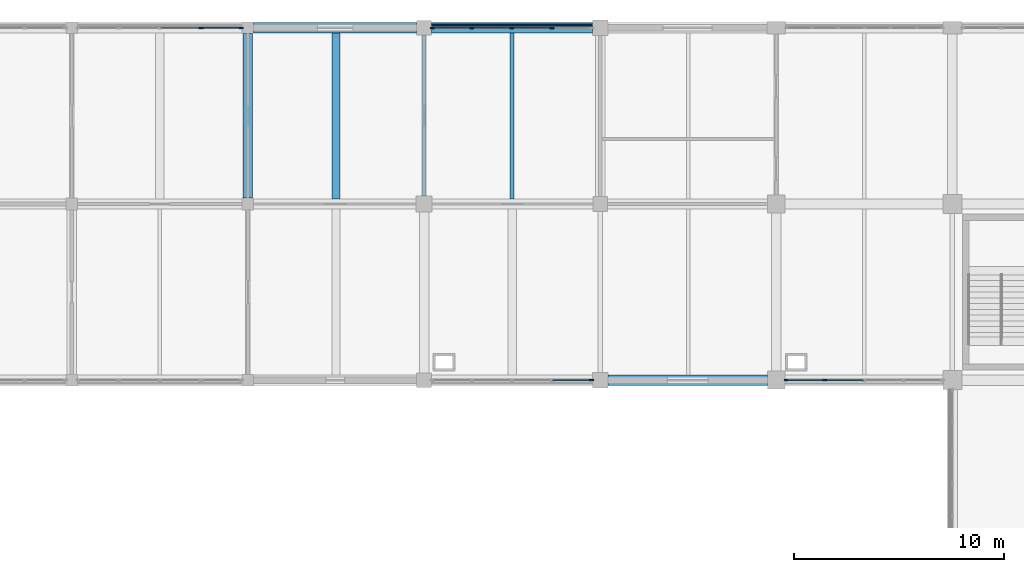
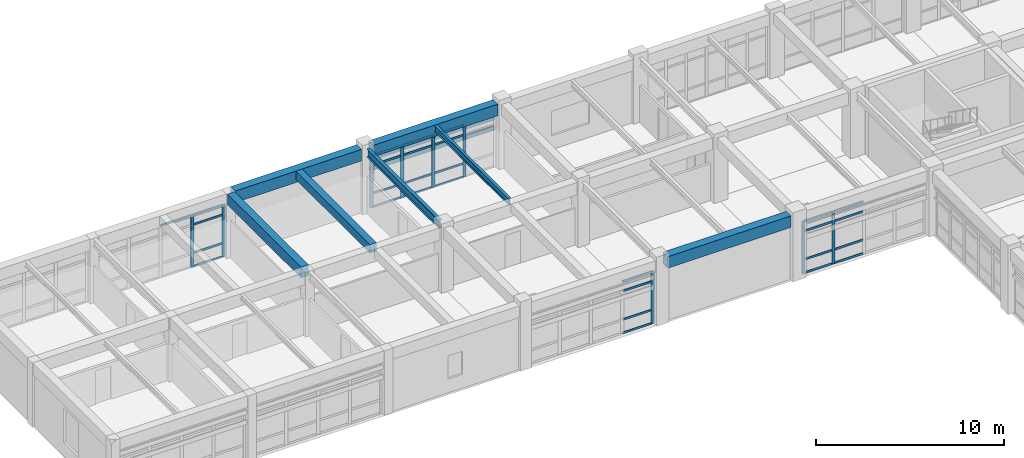
# One storey, part 28 of 99: 40 members, 7 beams, 4 elements without a shape of their own.
"""IFC4 building model written with IfcOpenShell, lengths in metres."""

from ifc_helpers import new_model, si_unit, direction, frame, origin, origin_2d, place, context, subcontext, project, spatial, rectangle, i_section, extrude, material, layer, layer_set, material_profile, profile_set, type_object, element, aggregate, save


model = new_model("IFC4")

# Units and contexts
model_context = context("Model", 3, precision=1e-05, world=origin(), true_north=direction((0.0, 1.0)))
body_context = subcontext(model_context, "Body", "Model", "MODEL_VIEW")
ifc_project = project(units=[si_unit("LENGTHUNIT", "METRE"), si_unit("AREAUNIT", "SQUARE_METRE"), si_unit("VOLUMEUNIT", "CUBIC_METRE"), si_unit("PLANEANGLEUNIT", "RADIAN"), si_unit("MASSUNIT", "GRAM", prefix="KILO")], contexts=[model_context])

# Site, building, storey
site_placement = place(None, origin())
site = spatial("IfcSite", under=ifc_project, at=site_placement, CompositionType="ELEMENT")
building_placement = place(site_placement, origin())
building = spatial("IfcBuilding", under=site, at=building_placement, Name="Porcellanite Civic Hall", CompositionType="ELEMENT")
storey_placement = place(building_placement, frame((0.0, 0.0, 5.760009765625)))
storey = spatial("IfcBuildingStorey", under=building, at=storey_placement, Name="L01", CompositionType="ELEMENT", Elevation=5.760009765625)

# Beams
ifc_material_1 = material(Name="Concrete N50 (50 MPa)", Category="concrete")
ifc_material_profile_1 = material_profile(ifc_material_1, rectangle(XDim=0.39990234375, YDim=0.550048828125, at=origin_2d()), Name="RC-400x550")
ifc_profile_set_1 = profile_set([ifc_material_profile_1], Name="Concrete N50 (50 MPa)")
beam_type_1 = type_object("IfcBeamType", Name="BM-RC550", PredefinedType="JOIST", material=ifc_profile_set_1)
beam_1_placement = place(storey_placement, frame((21.0, 109.449462890625, 3.925048828125), z_axis=(0.0, 1.0, 0.0), x_axis=(-1.0, 0.0, 0.0)))
element("IfcBeam", 1, at=beam_1_placement, inside=storey, type_object=beam_type_1, Name="Secondary joist L01 3-14", PredefinedType="JOIST", context=body_context, shape_type="SweptSolid", body=[
    extrude(rectangle(XDim=0.39990234375, YDim=0.550048828125, at=origin_2d()), origin(), (0.0, 0.0, 1.0), 7.901123046875),
])
ifc_material_2 = material(Name="Concrete N50 (50 MPa)", Category="concrete")
ifc_material_profile_2 = material_profile(ifc_material_2, rectangle(XDim=0.449951171875, YDim=0.699951171875, at=origin_2d()), Name="RC-450x700")
ifc_profile_set_2 = profile_set([ifc_material_profile_2], Name="Concrete N50 (50 MPa)")
beam_type_2 = type_object("IfcBeamType", Name="BM-RC700", PredefinedType="BEAM", material=ifc_profile_set_2)
beam_2_placement = place(storey_placement, frame((16.800048828125, 109.474609375, 3.85009765625), z_axis=(0.0, 1.0, 0.0), x_axis=(-1.0, 0.0, 0.0)))
element("IfcBeam", 2, at=beam_2_placement, inside=storey, type_object=beam_type_2, Name="Beam Y L01 3-14", PredefinedType="BEAM", context=body_context, shape_type="SweptSolid", body=[
    extrude(rectangle(XDim=0.449951171875, YDim=0.699951171875, at=origin_2d()), origin(), (0.0, 0.0, 1.0), 7.850830078125),
])
ifc_material_3 = material(Name="Concrete N50 (50 MPa)", Category="concrete")
ifc_material_profile_3 = material_profile(ifc_material_3, rectangle(XDim=0.5, YDim=0.75, at=origin_2d()), Name="RC-500x750")
ifc_profile_set_3 = profile_set([ifc_material_profile_3], Name="Concrete N50 (50 MPa)")
beam_type_3 = type_object("IfcBeamType", Name="BM-RC750", PredefinedType="SPANDREL", material=ifc_profile_set_3)
beam_3_placement = place(storey_placement, frame((17.074462890625, 117.60009765625, 3.824951171875), z_axis=(1.0, 0.0, 0.0), x_axis=(0.0, 1.0, 0.0)))
element("IfcBeam", 3, at=beam_3_placement, inside=storey, type_object=beam_type_3, Name="Beam X L01 3-15", PredefinedType="SPANDREL", context=body_context, shape_type="SweptSolid", body=[
    extrude(rectangle(XDim=0.5, YDim=0.75, at=origin_2d()), origin(), (0.0, 0.0, 1.0), 7.776123046875),
])
beam_4_placement = place(storey_placement, frame((25.549560546875, 117.60009765625, 3.824951171875), z_axis=(1.0, 0.0, 0.0), x_axis=(0.0, 1.0, 0.0)))
element("IfcBeam", 4, at=beam_4_placement, inside=storey, type_object=beam_type_3, Name="Beam X L01 4-15", PredefinedType="SPANDREL", context=body_context, shape_type="SweptSolid", body=[
    extrude(rectangle(XDim=0.5, YDim=0.75, at=origin_2d()), origin(), (0.0, 0.0, 1.0), 7.676025390625),
])
beam_5_placement = place(storey_placement, frame((33.974609375, 100.800048828125, 3.824951171875), z_axis=(1.0, 0.0, 0.0), x_axis=(0.0, 1.0, 0.0)))
element("IfcBeam", 5, at=beam_5_placement, inside=storey, type_object=beam_type_3, Name="Beam X L01 5-13", PredefinedType="SPANDREL", context=body_context, shape_type="SweptSolid", body=[
    extrude(rectangle(XDim=0.5, YDim=0.75, at=origin_2d()), origin(), (0.0, 0.0, 1.0), 7.600830078125),
])

# Curtain wall, members
ifc_material_4 = material(Name="Anodised aluminium and solar laminated glass", Category="aluminium")
ifc_layer_1 = layer(ifc_material_4, 0.179931640625)
ifc_layer_set_1 = layer_set([ifc_layer_1], Name="Anodised aluminium and solar laminated glass")
curtain_wall_type_1 = type_object("IfcCurtainWallType", Name="CW-SYS05", PredefinedType="NOTDEFINED", material=ifc_layer_set_1)
curtain_wall_1_placement = place(storey_placement, origin())
curtain_wall_1 = element("IfcCurtainWall", 6, at=curtain_wall_1_placement, inside=storey, type_object=curtain_wall_type_1, Name="Curtain wall CW-068", PredefinedType="NOTDEFINED")
ifc_material_5 = material(Name="Anodised aluminium 6063-T6", Category="aluminium")
ifc_material_profile_4 = material_profile(ifc_material_5, rectangle(XDim=0.070068359375, YDim=0.199951171875, at=origin_2d()), Name="AL-70x200")
ifc_profile_set_4 = profile_set([ifc_material_profile_4], Name="Anodised aluminium 6063-T6")
member_type_1 = type_object("IfcMemberType", Name="CWM-05", PredefinedType="MULLION", material=ifc_profile_set_4)
member_1_placement = place(storey_placement, frame((14.56201171875, 117.60009765625, 0.0), z_axis=(0.0, 0.0, 1.0), x_axis=(0.0, 1.0, 0.0)))
member_1 = element("IfcMember", 7, at=member_1_placement, type_object=member_type_1, Name="CW-068 mullion 4", PredefinedType="MULLION", context=body_context, shape_type="SweptSolid", body=[
    extrude(rectangle(XDim=0.070068359375, YDim=0.199951171875, at=origin_2d()), origin(), (0.0, 0.0, 1.0), 3.39990234375),
])
member_2_placement = place(storey_placement, frame((16.489013671875, 117.60009765625, 0.0), z_axis=(0.0, 0.0, 1.0), x_axis=(0.0, 1.0, 0.0)))
member_2 = element("IfcMember", 8, at=member_2_placement, type_object=member_type_1, Name="CW-068 mullion 5", PredefinedType="MULLION", context=body_context, shape_type="SweptSolid", body=[
    extrude(rectangle(XDim=0.070068359375, YDim=0.199951171875, at=origin_2d()), origin(), (0.0, 0.0, 1.0), 3.39990234375),
])

# Curtain wall, member
curtain_wall_2_placement = place(storey_placement, origin())
curtain_wall_2 = element("IfcCurtainWall", 9, at=curtain_wall_2_placement, inside=storey, type_object=curtain_wall_type_1, Name="Curtain wall CW-072", PredefinedType="NOTDEFINED")
member_3_placement = place(storey_placement, frame((33.18896484375, 100.800048828125, 0.0), z_axis=(0.0, 0.0, 1.0), x_axis=(0.0, -1.0, 0.0)))
member_3 = element("IfcMember", 10, at=member_3_placement, type_object=member_type_1, Name="CW-072 mullion 1", PredefinedType="MULLION", context=body_context, shape_type="SweptSolid", body=[
    extrude(rectangle(XDim=0.070068359375, YDim=0.199951171875, at=origin_2d()), origin(), (0.0, 0.0, 1.0), 3.39990234375),
])

# Curtain wall, members
curtain_wall_3_placement = place(storey_placement, origin())
curtain_wall_3 = element("IfcCurtainWall", 11, at=curtain_wall_3_placement, inside=storey, type_object=curtain_wall_type_1, Name="Curtain wall CW-073", PredefinedType="NOTDEFINED")
member_4_placement = place(storey_placement, frame((25.5859375, 117.60009765625, 0.0), z_axis=(0.0, 0.0, 1.0), x_axis=(0.0, 1.0, 0.0)))
member_4 = element("IfcMember", 12, at=member_4_placement, type_object=member_type_1, Name="CW-073 mullion 1", PredefinedType="MULLION", context=body_context, shape_type="SweptSolid", body=[
    extrude(rectangle(XDim=0.070068359375, YDim=0.199951171875, at=origin_2d()), origin(), (0.0, 0.0, 1.0), 3.39990234375),
])
member_5_placement = place(storey_placement, frame((27.46923828125, 117.60009765625, 0.0), z_axis=(0.0, 0.0, 1.0), x_axis=(0.0, 1.0, 0.0)))
member_5 = element("IfcMember", 13, at=member_5_placement, type_object=member_type_1, Name="CW-073 mullion 2", PredefinedType="MULLION", context=body_context, shape_type="SweptSolid", body=[
    extrude(rectangle(XDim=0.070068359375, YDim=0.199951171875, at=origin_2d()), origin(), (0.0, 0.0, 1.0), 3.39990234375),
])
member_6_placement = place(storey_placement, frame((29.387451171875, 117.60009765625, 0.0), z_axis=(0.0, 0.0, 1.0), x_axis=(0.0, 1.0, 0.0)))
member_6 = element("IfcMember", 14, at=member_6_placement, type_object=member_type_1, Name="CW-073 mullion 3", PredefinedType="MULLION", context=body_context, shape_type="SweptSolid", body=[
    extrude(rectangle(XDim=0.070068359375, YDim=0.199951171875, at=origin_2d()), origin(), (0.0, 0.0, 1.0), 3.39990234375),
])
member_7_placement = place(storey_placement, frame((31.3056640625, 117.60009765625, 0.0), z_axis=(0.0, 0.0, 1.0), x_axis=(0.0, 1.0, 0.0)))
member_7 = element("IfcMember", 15, at=member_7_placement, type_object=member_type_1, Name="CW-073 mullion 4", PredefinedType="MULLION", context=body_context, shape_type="SweptSolid", body=[
    extrude(rectangle(XDim=0.070068359375, YDim=0.199951171875, at=origin_2d()), origin(), (0.0, 0.0, 1.0), 3.39990234375),
])

ifc_material_6 = material(Name="Anodised aluminium and solar laminated glass", Category="aluminium")
ifc_layer_2 = layer(ifc_material_6, 0.179931640625)
ifc_layer_set_2 = layer_set([ifc_layer_2], Name="Anodised aluminium and solar laminated glass")
curtain_wall_type_2 = type_object("IfcCurtainWallType", Name="CW-SYS06", PredefinedType="NOTDEFINED", material=ifc_layer_set_2)
curtain_wall_4_placement = place(storey_placement, origin())
curtain_wall_4 = element("IfcCurtainWall", 16, at=curtain_wall_4_placement, inside=storey, type_object=curtain_wall_type_2, Name="Curtain wall CW-074", PredefinedType="NOTDEFINED")
ifc_material_7 = material(Name="Anodised aluminium 6063-T6", Category="aluminium")
ifc_material_profile_5 = material_profile(ifc_material_7, rectangle(XDim=0.06494140625, YDim=0.179931640625, at=origin_2d()), Name="AL-65x180")
ifc_profile_set_5 = profile_set([ifc_material_profile_5], Name="Anodised aluminium 6063-T6")
member_type_2 = type_object("IfcMemberType", Name="CWM-06", PredefinedType="MULLION", material=ifc_profile_set_5)
member_8_placement = place(storey_placement, frame((44.306640625, 100.800048828125, 0.0), z_axis=(0.0, 0.0, 1.0), x_axis=(0.0, -1.0, 0.0)))
member_8 = element("IfcMember", 17, at=member_8_placement, type_object=member_type_2, Name="CW-074 mullion 4", PredefinedType="MULLION", context=body_context, shape_type="SweptSolid", body=[
    extrude(rectangle(XDim=0.06494140625, YDim=0.179931640625, at=origin_2d()), origin(), (0.0, 0.0, 1.0), 3.39990234375),
])
member_9_placement = place(storey_placement, frame((42.45849609375, 100.800048828125, 0.0), z_axis=(0.0, 0.0, 1.0), x_axis=(0.0, -1.0, 0.0)))
member_9 = element("IfcMember", 18, at=member_9_placement, type_object=member_type_2, Name="CW-074 mullion 5", PredefinedType="MULLION", context=body_context, shape_type="SweptSolid", body=[
    extrude(rectangle(XDim=0.06494140625, YDim=0.179931640625, at=origin_2d()), origin(), (0.0, 0.0, 1.0), 3.39990234375),
])

# Member
ifc_material_8 = material(Name="Anodised aluminium 6063-T6", Category="aluminium")
ifc_material_profile_6 = material_profile(ifc_material_8, rectangle(XDim=0.06005859375, YDim=0.1298828125, at=origin_2d()), Name="AL-60x130")
ifc_profile_set_6 = profile_set([ifc_material_profile_6], Name="Anodised aluminium 6063-T6")
member_type_3 = type_object("IfcMemberType", Name="CWT-03", PredefinedType="USERDEFINED", material=ifc_profile_set_6)
member_10_placement = place(storey_placement, frame((12.635009765625, 117.60009765625, 3.369873046875), z_axis=(1.0, 0.0, 0.0), x_axis=(0.0, 1.0, 0.0)))
member_10 = element("IfcMember", 19, at=member_10_placement, type_object=member_type_3, Name="CW-068 transom 3.4", ObjectType="TRANSOM", PredefinedType="USERDEFINED", context=body_context, shape_type="SweptSolid", body=[
    extrude(rectangle(XDim=0.06005859375, YDim=0.1298828125, at=origin_2d()), origin(), (0.0, 0.0, 1.0), 1.89208984375),
])

member_11_placement = place(storey_placement, frame((14.596923828125, 117.60009765625, 0.030029296875), z_axis=(1.0, 0.0, 0.0), x_axis=(0.0, 1.0, 0.0)))
member_11 = element("IfcMember", 20, at=member_11_placement, type_object=member_type_3, Name="CW-068 transom 4.1", ObjectType="TRANSOM", PredefinedType="USERDEFINED", context=body_context, shape_type="SweptSolid", body=[
    extrude(rectangle(XDim=0.06005859375, YDim=0.1298828125, at=origin_2d()), origin(), (0.0, 0.0, 1.0), 1.857177734375),
])

member_12_placement = place(storey_placement, frame((14.596923828125, 117.60009765625, 0.89990234375), z_axis=(1.0, 0.0, 0.0), x_axis=(0.0, 1.0, 0.0)))
member_12 = element("IfcMember", 21, at=member_12_placement, type_object=member_type_3, Name="CW-068 transom 4.2", ObjectType="TRANSOM", PredefinedType="USERDEFINED", context=body_context, shape_type="SweptSolid", body=[
    extrude(rectangle(XDim=0.06005859375, YDim=0.1298828125, at=origin_2d()), origin(), (0.0, 0.0, 1.0), 1.857177734375),
])

member_13_placement = place(storey_placement, frame((14.596923828125, 117.60009765625, 2.75), z_axis=(1.0, 0.0, 0.0), x_axis=(0.0, 1.0, 0.0)))
member_13 = element("IfcMember", 22, at=member_13_placement, type_object=member_type_3, Name="CW-068 transom 4.3", ObjectType="TRANSOM", PredefinedType="USERDEFINED", context=body_context, shape_type="SweptSolid", body=[
    extrude(rectangle(XDim=0.06005859375, YDim=0.1298828125, at=origin_2d()), origin(), (0.0, 0.0, 1.0), 1.857177734375),
])

member_14_placement = place(storey_placement, frame((14.596923828125, 117.60009765625, 3.369873046875), z_axis=(1.0, 0.0, 0.0), x_axis=(0.0, 1.0, 0.0)))
member_14 = element("IfcMember", 23, at=member_14_placement, type_object=member_type_3, Name="CW-068 transom 4.4", ObjectType="TRANSOM", PredefinedType="USERDEFINED", context=body_context, shape_type="SweptSolid", body=[
    extrude(rectangle(XDim=0.06005859375, YDim=0.1298828125, at=origin_2d()), origin(), (0.0, 0.0, 1.0), 1.857177734375),
])

aggregate(curtain_wall_1, [member_1, member_2, member_10, member_11, member_12, member_13, member_14])

member_15_placement = place(storey_placement, frame((33.154052734375, 100.800048828125, 0.030029296875), z_axis=(-1.0, 0.0, 0.0), x_axis=(0.0, -1.0, 0.0)))
member_15 = element("IfcMember", 24, at=member_15_placement, type_object=member_type_3, Name="CW-072 transom 1.1", ObjectType="TRANSOM", PredefinedType="USERDEFINED", context=body_context, shape_type="SweptSolid", body=[
    extrude(rectangle(XDim=0.06005859375, YDim=0.1298828125, at=origin_2d()), origin(), (0.0, 0.0, 1.0), 1.813232421875),
])

member_16_placement = place(storey_placement, frame((33.154052734375, 100.800048828125, 0.89990234375), z_axis=(-1.0, 0.0, 0.0), x_axis=(0.0, -1.0, 0.0)))
member_16 = element("IfcMember", 25, at=member_16_placement, type_object=member_type_3, Name="CW-072 transom 1.2", ObjectType="TRANSOM", PredefinedType="USERDEFINED", context=body_context, shape_type="SweptSolid", body=[
    extrude(rectangle(XDim=0.06005859375, YDim=0.1298828125, at=origin_2d()), origin(), (0.0, 0.0, 1.0), 1.813232421875),
])

member_17_placement = place(storey_placement, frame((33.154052734375, 100.800048828125, 2.75), z_axis=(-1.0, 0.0, 0.0), x_axis=(0.0, -1.0, 0.0)))
member_17 = element("IfcMember", 26, at=member_17_placement, type_object=member_type_3, Name="CW-072 transom 1.3", ObjectType="TRANSOM", PredefinedType="USERDEFINED", context=body_context, shape_type="SweptSolid", body=[
    extrude(rectangle(XDim=0.06005859375, YDim=0.1298828125, at=origin_2d()), origin(), (0.0, 0.0, 1.0), 1.813232421875),
])

member_18_placement = place(storey_placement, frame((33.154052734375, 100.800048828125, 3.369873046875), z_axis=(-1.0, 0.0, 0.0), x_axis=(0.0, -1.0, 0.0)))
member_18 = element("IfcMember", 27, at=member_18_placement, type_object=member_type_3, Name="CW-072 transom 1.4", ObjectType="TRANSOM", PredefinedType="USERDEFINED", context=body_context, shape_type="SweptSolid", body=[
    extrude(rectangle(XDim=0.06005859375, YDim=0.1298828125, at=origin_2d()), origin(), (0.0, 0.0, 1.0), 1.813232421875),
])

aggregate(curtain_wall_2, [member_3, member_15, member_16, member_17, member_18])

member_19_placement = place(storey_placement, frame((25.62109375, 117.60009765625, 0.030029296875), z_axis=(1.0, 0.0, 0.0), x_axis=(0.0, 1.0, 0.0)))
member_19 = element("IfcMember", 28, at=member_19_placement, type_object=member_type_3, Name="CW-073 transom 1.1", ObjectType="TRANSOM", PredefinedType="USERDEFINED", context=body_context, shape_type="SweptSolid", body=[
    extrude(rectangle(XDim=0.06005859375, YDim=0.1298828125, at=origin_2d()), origin(), (0.0, 0.0, 1.0), 1.813232421875),
])

member_20_placement = place(storey_placement, frame((25.62109375, 117.60009765625, 0.89990234375), z_axis=(1.0, 0.0, 0.0), x_axis=(0.0, 1.0, 0.0)))
member_20 = element("IfcMember", 29, at=member_20_placement, type_object=member_type_3, Name="CW-073 transom 1.2", ObjectType="TRANSOM", PredefinedType="USERDEFINED", context=body_context, shape_type="SweptSolid", body=[
    extrude(rectangle(XDim=0.06005859375, YDim=0.1298828125, at=origin_2d()), origin(), (0.0, 0.0, 1.0), 1.813232421875),
])

member_21_placement = place(storey_placement, frame((25.62109375, 117.60009765625, 2.75), z_axis=(1.0, 0.0, 0.0), x_axis=(0.0, 1.0, 0.0)))
member_21 = element("IfcMember", 30, at=member_21_placement, type_object=member_type_3, Name="CW-073 transom 1.3", ObjectType="TRANSOM", PredefinedType="USERDEFINED", context=body_context, shape_type="SweptSolid", body=[
    extrude(rectangle(XDim=0.06005859375, YDim=0.1298828125, at=origin_2d()), origin(), (0.0, 0.0, 1.0), 1.813232421875),
])

member_22_placement = place(storey_placement, frame((25.62109375, 117.60009765625, 3.369873046875), z_axis=(1.0, 0.0, 0.0), x_axis=(0.0, 1.0, 0.0)))
member_22 = element("IfcMember", 31, at=member_22_placement, type_object=member_type_3, Name="CW-073 transom 1.4", ObjectType="TRANSOM", PredefinedType="USERDEFINED", context=body_context, shape_type="SweptSolid", body=[
    extrude(rectangle(XDim=0.06005859375, YDim=0.1298828125, at=origin_2d()), origin(), (0.0, 0.0, 1.0), 1.813232421875),
])

member_23_placement = place(storey_placement, frame((27.504150390625, 117.60009765625, 0.030029296875), z_axis=(1.0, 0.0, 0.0), x_axis=(0.0, 1.0, 0.0)))
member_23 = element("IfcMember", 32, at=member_23_placement, type_object=member_type_3, Name="CW-073 transom 2.1", ObjectType="TRANSOM", PredefinedType="USERDEFINED", context=body_context, shape_type="SweptSolid", body=[
    extrude(rectangle(XDim=0.06005859375, YDim=0.1298828125, at=origin_2d()), origin(), (0.0, 0.0, 1.0), 1.848388671875),
])

member_24_placement = place(storey_placement, frame((27.504150390625, 117.60009765625, 0.89990234375), z_axis=(1.0, 0.0, 0.0), x_axis=(0.0, 1.0, 0.0)))
member_24 = element("IfcMember", 33, at=member_24_placement, type_object=member_type_3, Name="CW-073 transom 2.2", ObjectType="TRANSOM", PredefinedType="USERDEFINED", context=body_context, shape_type="SweptSolid", body=[
    extrude(rectangle(XDim=0.06005859375, YDim=0.1298828125, at=origin_2d()), origin(), (0.0, 0.0, 1.0), 1.848388671875),
])

member_25_placement = place(storey_placement, frame((27.504150390625, 117.60009765625, 2.75), z_axis=(1.0, 0.0, 0.0), x_axis=(0.0, 1.0, 0.0)))
member_25 = element("IfcMember", 34, at=member_25_placement, type_object=member_type_3, Name="CW-073 transom 2.3", ObjectType="TRANSOM", PredefinedType="USERDEFINED", context=body_context, shape_type="SweptSolid", body=[
    extrude(rectangle(XDim=0.06005859375, YDim=0.1298828125, at=origin_2d()), origin(), (0.0, 0.0, 1.0), 1.848388671875),
])

member_26_placement = place(storey_placement, frame((27.504150390625, 117.60009765625, 3.369873046875), z_axis=(1.0, 0.0, 0.0), x_axis=(0.0, 1.0, 0.0)))
member_26 = element("IfcMember", 35, at=member_26_placement, type_object=member_type_3, Name="CW-073 transom 2.4", ObjectType="TRANSOM", PredefinedType="USERDEFINED", context=body_context, shape_type="SweptSolid", body=[
    extrude(rectangle(XDim=0.06005859375, YDim=0.1298828125, at=origin_2d()), origin(), (0.0, 0.0, 1.0), 1.848388671875),
])

member_27_placement = place(storey_placement, frame((29.422607421875, 117.60009765625, 0.030029296875), z_axis=(1.0, 0.0, 0.0), x_axis=(0.0, 1.0, 0.0)))
member_27 = element("IfcMember", 36, at=member_27_placement, type_object=member_type_3, Name="CW-073 transom 3.1", ObjectType="TRANSOM", PredefinedType="USERDEFINED", context=body_context, shape_type="SweptSolid", body=[
    extrude(rectangle(XDim=0.06005859375, YDim=0.1298828125, at=origin_2d()), origin(), (0.0, 0.0, 1.0), 1.84814453125),
])

member_28_placement = place(storey_placement, frame((29.422607421875, 117.60009765625, 0.89990234375), z_axis=(1.0, 0.0, 0.0), x_axis=(0.0, 1.0, 0.0)))
member_28 = element("IfcMember", 37, at=member_28_placement, type_object=member_type_3, Name="CW-073 transom 3.2", ObjectType="TRANSOM", PredefinedType="USERDEFINED", context=body_context, shape_type="SweptSolid", body=[
    extrude(rectangle(XDim=0.06005859375, YDim=0.1298828125, at=origin_2d()), origin(), (0.0, 0.0, 1.0), 1.84814453125),
])

member_29_placement = place(storey_placement, frame((29.422607421875, 117.60009765625, 2.75), z_axis=(1.0, 0.0, 0.0), x_axis=(0.0, 1.0, 0.0)))
member_29 = element("IfcMember", 38, at=member_29_placement, type_object=member_type_3, Name="CW-073 transom 3.3", ObjectType="TRANSOM", PredefinedType="USERDEFINED", context=body_context, shape_type="SweptSolid", body=[
    extrude(rectangle(XDim=0.06005859375, YDim=0.1298828125, at=origin_2d()), origin(), (0.0, 0.0, 1.0), 1.84814453125),
])

member_30_placement = place(storey_placement, frame((29.422607421875, 117.60009765625, 3.369873046875), z_axis=(1.0, 0.0, 0.0), x_axis=(0.0, 1.0, 0.0)))
member_30 = element("IfcMember", 39, at=member_30_placement, type_object=member_type_3, Name="CW-073 transom 3.4", ObjectType="TRANSOM", PredefinedType="USERDEFINED", context=body_context, shape_type="SweptSolid", body=[
    extrude(rectangle(XDim=0.06005859375, YDim=0.1298828125, at=origin_2d()), origin(), (0.0, 0.0, 1.0), 1.84814453125),
])

aggregate(curtain_wall_3, [member_4, member_5, member_6, member_7, member_19, member_20, member_21, member_22, member_23, member_24, member_25, member_26, member_27, member_28, member_29, member_30])

ifc_material_9 = material(Name="Anodised aluminium 6063-T6", Category="aluminium")
ifc_material_profile_7 = material_profile(ifc_material_9, rectangle(XDim=0.050048828125, YDim=0.139892578125, at=origin_2d()), Name="AL-50x140")
ifc_profile_set_7 = profile_set([ifc_material_profile_7], Name="Anodised aluminium 6063-T6")
member_type_4 = type_object("IfcMemberType", Name="CWT-06", PredefinedType="USERDEFINED", material=ifc_profile_set_7)
member_31_placement = place(storey_placement, frame((46.155029296875, 100.800048828125, 0.02490234375), z_axis=(-1.0, 0.0, 0.0), x_axis=(0.0, -1.0, 0.0)))
member_31 = element("IfcMember", 40, at=member_31_placement, type_object=member_type_4, Name="CW-074 transom 3.1", ObjectType="TRANSOM", PredefinedType="USERDEFINED", context=body_context, shape_type="SweptSolid", body=[
    extrude(rectangle(XDim=0.050048828125, YDim=0.139892578125, at=origin_2d()), origin(), (0.0, 0.0, 1.0), 1.815673828125),
])

member_32_placement = place(storey_placement, frame((46.155029296875, 100.800048828125, 0.89990234375), z_axis=(-1.0, 0.0, 0.0), x_axis=(0.0, -1.0, 0.0)))
member_32 = element("IfcMember", 41, at=member_32_placement, type_object=member_type_4, Name="CW-074 transom 3.2", ObjectType="TRANSOM", PredefinedType="USERDEFINED", context=body_context, shape_type="SweptSolid", body=[
    extrude(rectangle(XDim=0.050048828125, YDim=0.139892578125, at=origin_2d()), origin(), (0.0, 0.0, 1.0), 1.815673828125),
])

member_33_placement = place(storey_placement, frame((46.155029296875, 100.800048828125, 2.75), z_axis=(-1.0, 0.0, 0.0), x_axis=(0.0, -1.0, 0.0)))
member_33 = element("IfcMember", 42, at=member_33_placement, type_object=member_type_4, Name="CW-074 transom 3.3", ObjectType="TRANSOM", PredefinedType="USERDEFINED", context=body_context, shape_type="SweptSolid", body=[
    extrude(rectangle(XDim=0.050048828125, YDim=0.139892578125, at=origin_2d()), origin(), (0.0, 0.0, 1.0), 1.815673828125),
])

member_34_placement = place(storey_placement, frame((46.155029296875, 100.800048828125, 3.375), z_axis=(-1.0, 0.0, 0.0), x_axis=(0.0, -1.0, 0.0)))
member_34 = element("IfcMember", 43, at=member_34_placement, type_object=member_type_4, Name="CW-074 transom 3.4", ObjectType="TRANSOM", PredefinedType="USERDEFINED", context=body_context, shape_type="SweptSolid", body=[
    extrude(rectangle(XDim=0.050048828125, YDim=0.139892578125, at=origin_2d()), origin(), (0.0, 0.0, 1.0), 1.815673828125),
])

member_35_placement = place(storey_placement, frame((44.274169921875, 100.800048828125, 0.02490234375), z_axis=(-1.0, 0.0, 0.0), x_axis=(0.0, -1.0, 0.0)))
member_35 = element("IfcMember", 44, at=member_35_placement, type_object=member_type_4, Name="CW-074 transom 4.1", ObjectType="TRANSOM", PredefinedType="USERDEFINED", context=body_context, shape_type="SweptSolid", body=[
    extrude(rectangle(XDim=0.050048828125, YDim=0.139892578125, at=origin_2d()), origin(), (0.0, 0.0, 1.0), 1.783203125),
])

member_36_placement = place(storey_placement, frame((44.274169921875, 100.800048828125, 0.89990234375), z_axis=(-1.0, 0.0, 0.0), x_axis=(0.0, -1.0, 0.0)))
member_36 = element("IfcMember", 45, at=member_36_placement, type_object=member_type_4, Name="CW-074 transom 4.2", ObjectType="TRANSOM", PredefinedType="USERDEFINED", context=body_context, shape_type="SweptSolid", body=[
    extrude(rectangle(XDim=0.050048828125, YDim=0.139892578125, at=origin_2d()), origin(), (0.0, 0.0, 1.0), 1.783203125),
])

member_37_placement = place(storey_placement, frame((44.274169921875, 100.800048828125, 2.75), z_axis=(-1.0, 0.0, 0.0), x_axis=(0.0, -1.0, 0.0)))
member_37 = element("IfcMember", 46, at=member_37_placement, type_object=member_type_4, Name="CW-074 transom 4.3", ObjectType="TRANSOM", PredefinedType="USERDEFINED", context=body_context, shape_type="SweptSolid", body=[
    extrude(rectangle(XDim=0.050048828125, YDim=0.139892578125, at=origin_2d()), origin(), (0.0, 0.0, 1.0), 1.783203125),
])

member_38_placement = place(storey_placement, frame((44.274169921875, 100.800048828125, 3.375), z_axis=(-1.0, 0.0, 0.0), x_axis=(0.0, -1.0, 0.0)))
member_38 = element("IfcMember", 47, at=member_38_placement, type_object=member_type_4, Name="CW-074 transom 4.4", ObjectType="TRANSOM", PredefinedType="USERDEFINED", context=body_context, shape_type="SweptSolid", body=[
    extrude(rectangle(XDim=0.050048828125, YDim=0.139892578125, at=origin_2d()), origin(), (0.0, 0.0, 1.0), 1.783203125),
])

aggregate(curtain_wall_4, [member_8, member_9, member_31, member_32, member_33, member_34, member_35, member_36, member_37, member_38])

# Beam
ifc_material_10 = material(Name="Steel Grade 350", Category="steel")
ifc_material_profile_8 = material_profile(ifc_material_10, i_section(OverallWidth=0.177978515625, OverallDepth=0.406005859375, WebThickness=0.0078125, FlangeThickness=0.0126953125, FilletRadius=0.011474609375, at=origin_2d()), Name="410UB59.7")
ifc_profile_set_8 = profile_set([ifc_material_profile_8], Name="Steel Grade 350")
beam_type_4 = type_object("IfcBeamType", Name="JST-410UB60", PredefinedType="JOIST", material=ifc_profile_set_8)
beam_6_placement = place(storey_placement, frame((29.39990234375, 109.449462890625, 3.9970703125), z_axis=(0.0, 1.0, 0.0), x_axis=(-1.0, 0.0, 0.0)))
element("IfcBeam", 48, at=beam_6_placement, inside=storey, type_object=beam_type_4, Name="Secondary joist L01 4-14", PredefinedType="JOIST", context=body_context, shape_type="SweptSolid", body=[
    extrude(i_section(OverallWidth=0.177978515625, OverallDepth=0.406005859375, WebThickness=0.0078125, FlangeThickness=0.0126953125, FilletRadius=0.011474609375, at=origin_2d()), origin(), (0.0, 0.0, 1.0), 7.901123046875),
])

# Members
ifc_material_11 = material(Name="Fluoropolymer bauxite-red aluminium 6063-T6", Category="aluminium")
ifc_material_profile_9 = material_profile(ifc_material_11, rectangle(XDim=0.070068359375, YDim=0.280029296875, at=origin_2d()), Name="AL-70x280")
ifc_profile_set_9 = profile_set([ifc_material_profile_9], Name="Fluoropolymer bauxite-red aluminium 6063-T6")
member_type_5 = type_object("IfcMemberType", Name="LV-BLD05", PredefinedType="USERDEFINED", material=ifc_profile_set_9)
for number, where, z_axis, x_axis, name in (
    (49, (25.549560546875, 117.737060546875, 3.10009765625), (1.0, 0.0, 0.0), (0.0, 1.0, 0.0), "Cyclone sunshade louvre L01 N 3-13 1"),
    (50, (25.549560546875, 117.737060546875, 2.449951171875), (1.0, 0.0, 0.0), (0.0, 1.0, 0.0), "Cyclone sunshade louvre L01 N 3-13 2"),
):
    element("IfcMember", number, at=place(storey_placement, frame(where, z_axis=z_axis, x_axis=x_axis)), inside=storey, type_object=member_type_5, Name=name, ObjectType="LOUVRE BLADE", PredefinedType="USERDEFINED", context=body_context, shape_type="SweptSolid", body=[
        extrude(rectangle(XDim=0.070068359375, YDim=0.280029296875, at=origin_2d()), origin(), (0.0, 0.0, 1.0), 7.676025390625),
    ])

# Beam
ifc_material_12 = material(Name="Steel Grade 350", Category="steel")
ifc_material_profile_10 = material_profile(ifc_material_12, i_section(OverallWidth=0.208984375, OverallDepth=0.528076171875, WebThickness=0.009521484375, FlangeThickness=0.01318359375, FilletRadius=0.013916015625, at=origin_2d()), Name="530UB82.0")
ifc_profile_set_10 = profile_set([ifc_material_profile_10], Name="Steel Grade 350")
beam_type_5 = type_object("IfcBeamType", Name="RAF-530UB82", PredefinedType="BEAM", material=ifc_profile_set_10)
beam_7_placement = place(storey_placement, frame((25.199951171875, 109.574462890625, 3.93603515625), z_axis=(0.0, 1.0, 0.0), x_axis=(-1.0, 0.0, 0.0)))
element("IfcBeam", 51, at=beam_7_placement, inside=storey, type_object=beam_type_5, Name="Beam Y L01 4-14", PredefinedType="BEAM", context=body_context, shape_type="SweptSolid", body=[
    extrude(i_section(OverallWidth=0.208984375, OverallDepth=0.528076171875, WebThickness=0.009521484375, FlangeThickness=0.01318359375, FilletRadius=0.013916015625, at=origin_2d()), origin(), (0.0, 0.0, 1.0), 7.676025390625),
])

save(model, "model.ifc")
